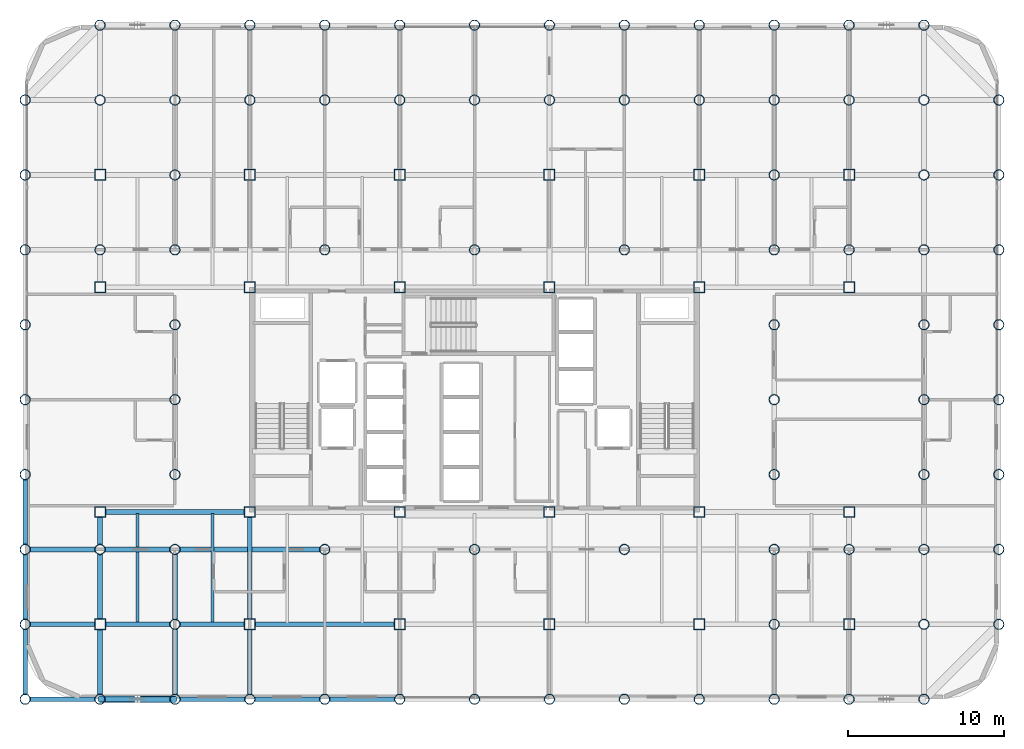
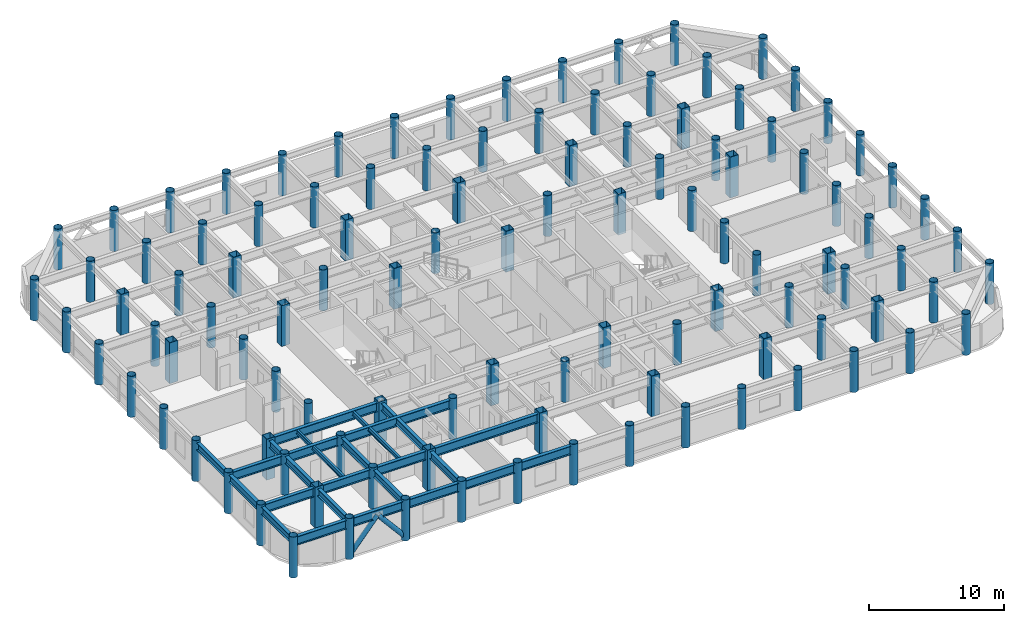
# One storey, part 1 of 22: 108 columns, 25 beams, 2 members.
"""IFC4 building model written with IfcOpenShell, lengths in metres."""

from ifc_helpers import new_model, si_unit, direction, frame, origin, origin_2d, place, context, subcontext, project, spatial, hollow_rectangle, hollow_circle, i_section, extrude, material, material_profile, profile_set, type_object, element, save


model = new_model("IFC4")

# Units and contexts
model_context = context("Model", 3, precision=1e-05, world=origin(), true_north=direction((0.0, 1.0)))
body_context = subcontext(model_context, "Body", "Model", "MODEL_VIEW")
ifc_project = project(units=[si_unit("LENGTHUNIT", "METRE"), si_unit("AREAUNIT", "SQUARE_METRE"), si_unit("VOLUMEUNIT", "CUBIC_METRE"), si_unit("PLANEANGLEUNIT", "RADIAN"), si_unit("MASSUNIT", "GRAM", prefix="KILO")], contexts=[model_context])

# Site, building, storey
site_placement = place(None, origin())
site = spatial("IfcSite", under=ifc_project, at=site_placement, CompositionType="ELEMENT")
building_placement = place(site_placement, origin())
building = spatial("IfcBuilding", under=site, at=building_placement, Name="Kallvorn Hotel Tower", CompositionType="ELEMENT")
storey_placement = place(building_placement, frame((0.0, 0.0, 110.0)))
storey = spatial("IfcBuildingStorey", under=building, at=storey_placement, Name="L26", CompositionType="ELEMENT", Elevation=110.0)

# Columns
ifc_material_1 = material(Name="Structural steel S355J2H", Category="steel")
ifc_material_profile_1 = material_profile(ifc_material_1, hollow_circle(Radius=0.330078125, WallThickness=0.028076171875, at=origin_2d()), Name="CHS 660x28")
ifc_profile_set_1 = profile_set([ifc_material_profile_1], Name="Structural steel S355J2H")
column_type_1 = type_object("IfcColumnType", Name="COL_CHS_660", PredefinedType="COLUMN", material=ifc_profile_set_1)
for number, where, z_axis, x_axis, name in (
    (1, (-28.800048828125, -19.199951171875, 0.0), (0.0, 0.0, 1.0), (1.0, 0.0, 0.0), "L26 Exoskeleton Column EC01"),
    (2, (-28.800048828125, -14.39990234375, 0.0), (0.0, 0.0, 1.0), (1.0, 0.0, 0.0), "L26 Exoskeleton Column EC02"),
    (3, (-28.800048828125, -9.60009765625, 0.0), (0.0, 0.0, 1.0), (1.0, 0.0, 0.0), "L26 Exoskeleton Column EC03"),
    (4, (-28.800048828125, -4.800048828125, 0.0), (0.0, 0.0, 1.0), (1.0, 0.0, 0.0), "L26 Exoskeleton Column EC04"),
    (5, (-28.800048828125, 0.0, 0.0), (0.0, 0.0, 1.0), (1.0, 0.0, 0.0), "L26 Exoskeleton Column EC05"),
    (6, (-28.800048828125, 4.800048828125, 0.0), (0.0, 0.0, 1.0), (1.0, 0.0, 0.0), "L26 Exoskeleton Column EC06"),
    (7, (-28.800048828125, 9.60009765625, 0.0), (0.0, 0.0, 1.0), (1.0, 0.0, 0.0), "L26 Exoskeleton Column EC07"),
    (8, (-28.800048828125, 14.39990234375, 0.0), (0.0, 0.0, 1.0), (1.0, 0.0, 0.0), "L26 Exoskeleton Column EC08"),
    (9, (-28.800048828125, 19.199951171875, 0.0), (0.0, 0.0, 1.0), (1.0, 0.0, 0.0), "L26 Exoskeleton Column EC09"),
    (10, (-24.0, -19.199951171875, 0.0), (0.0, 0.0, 1.0), (1.0, 0.0, 0.0), "L26 Exoskeleton Column EC10"),
    (11, (-24.0, -9.60009765625, 0.0), (0.0, 0.0, 1.0), (1.0, 0.0, 0.0), "L26 Exoskeleton Column EC11"),
    (12, (-24.0, 9.60009765625, 0.0), (0.0, 0.0, 1.0), (1.0, 0.0, 0.0), "L26 Exoskeleton Column EC12"),
    (13, (-24.0, 19.199951171875, 0.0), (0.0, 0.0, 1.0), (1.0, 0.0, 0.0), "L26 Exoskeleton Column EC13"),
    (14, (-24.0, 24.0, 0.0), (0.0, 0.0, 1.0), (1.0, 0.0, 0.0), "L26 Exoskeleton Column EC14"),
    (15, (-19.199951171875, -19.199951171875, 0.0), (0.0, 0.0, 1.0), (1.0, 0.0, 0.0), "L26 Exoskeleton Column EC15"),
    (16, (-19.199951171875, -14.39990234375, 0.0), (0.0, 0.0, 1.0), (1.0, 0.0, 0.0), "L26 Exoskeleton Column EC16"),
    (17, (-19.199951171875, -9.60009765625, 0.0), (0.0, 0.0, 1.0), (1.0, 0.0, 0.0), "L26 Exoskeleton Column EC17"),
    (18, (-19.199951171875, -4.800048828125, 0.0), (0.0, 0.0, 1.0), (1.0, 0.0, 0.0), "L26 Exoskeleton Column EC18"),
    (19, (-19.199951171875, 0.0, 0.0), (0.0, 0.0, 1.0), (1.0, 0.0, 0.0), "L26 Exoskeleton Column EC19"),
    (20, (-19.199951171875, 4.800048828125, 0.0), (0.0, 0.0, 1.0), (1.0, 0.0, 0.0), "L26 Exoskeleton Column EC20"),
    (21, (-19.199951171875, 9.60009765625, 0.0), (0.0, 0.0, 1.0), (1.0, 0.0, 0.0), "L26 Exoskeleton Column EC21"),
    (22, (-19.199951171875, 14.39990234375, 0.0), (0.0, 0.0, 1.0), (1.0, 0.0, 0.0), "L26 Exoskeleton Column EC22"),
    (23, (-19.199951171875, 19.199951171875, 0.0), (0.0, 0.0, 1.0), (1.0, 0.0, 0.0), "L26 Exoskeleton Column EC23"),
    (24, (-19.199951171875, 24.0, 0.0), (0.0, 0.0, 1.0), (1.0, 0.0, 0.0), "L26 Exoskeleton Column EC24"),
    (25, (-14.39990234375, -19.199951171875, 0.0), (0.0, 0.0, 1.0), (1.0, 0.0, 0.0), "L26 Exoskeleton Column EC25"),
    (26, (-14.39990234375, 19.199951171875, 0.0), (0.0, 0.0, 1.0), (1.0, 0.0, 0.0), "L26 Exoskeleton Column EC26"),
    (27, (-14.39990234375, 24.0, 0.0), (0.0, 0.0, 1.0), (1.0, 0.0, 0.0), "L26 Exoskeleton Column EC27"),
    (28, (-9.60009765625, -19.199951171875, 0.0), (0.0, 0.0, 1.0), (1.0, 0.0, 0.0), "L26 Exoskeleton Column EC28"),
    (29, (-9.60009765625, -9.60009765625, 0.0), (0.0, 0.0, 1.0), (1.0, 0.0, 0.0), "L26 Exoskeleton Column EC29"),
    (30, (-9.60009765625, 9.60009765625, 0.0), (0.0, 0.0, 1.0), (1.0, 0.0, 0.0), "L26 Exoskeleton Column EC30"),
    (31, (-9.60009765625, 19.199951171875, 0.0), (0.0, 0.0, 1.0), (1.0, 0.0, 0.0), "L26 Exoskeleton Column EC31"),
    (32, (-9.60009765625, 24.0, 0.0), (0.0, 0.0, 1.0), (1.0, 0.0, 0.0), "L26 Exoskeleton Column EC32"),
    (33, (-4.800048828125, -19.199951171875, 0.0), (0.0, 0.0, 1.0), (1.0, 0.0, 0.0), "L26 Exoskeleton Column EC33"),
    (34, (-4.800048828125, 19.199951171875, 0.0), (0.0, 0.0, 1.0), (1.0, 0.0, 0.0), "L26 Exoskeleton Column EC34"),
    (35, (-4.800048828125, 24.0, 0.0), (0.0, 0.0, 1.0), (1.0, 0.0, 0.0), "L26 Exoskeleton Column EC35"),
    (36, (0.0, -19.199951171875, 0.0), (0.0, 0.0, 1.0), (1.0, 0.0, 0.0), "L26 Exoskeleton Column EC36"),
    (37, (0.0, -9.60009765625, 0.0), (0.0, 0.0, 1.0), (1.0, 0.0, 0.0), "L26 Exoskeleton Column EC37"),
    (38, (0.0, 9.60009765625, 0.0), (0.0, 0.0, 1.0), (1.0, 0.0, 0.0), "L26 Exoskeleton Column EC38"),
    (39, (0.0, 19.199951171875, 0.0), (0.0, 0.0, 1.0), (1.0, 0.0, 0.0), "L26 Exoskeleton Column EC39"),
    (40, (0.0, 24.0, 0.0), (0.0, 0.0, 1.0), (1.0, 0.0, 0.0), "L26 Exoskeleton Column EC40"),
    (41, (4.800048828125, -19.199951171875, 0.0), (0.0, 0.0, 1.0), (1.0, 0.0, 0.0), "L26 Exoskeleton Column EC41"),
    (42, (4.800048828125, 19.199951171875, 0.0), (0.0, 0.0, 1.0), (1.0, 0.0, 0.0), "L26 Exoskeleton Column EC42"),
    (43, (4.800048828125, 24.0, 0.0), (0.0, 0.0, 1.0), (1.0, 0.0, 0.0), "L26 Exoskeleton Column EC43"),
    (44, (9.60009765625, -19.199951171875, 0.0), (0.0, 0.0, 1.0), (1.0, 0.0, 0.0), "L26 Exoskeleton Column EC44"),
    (45, (9.60009765625, -9.60009765625, 0.0), (0.0, 0.0, 1.0), (1.0, 0.0, 0.0), "L26 Exoskeleton Column EC45"),
    (46, (9.60009765625, 9.60009765625, 0.0), (0.0, 0.0, 1.0), (1.0, 0.0, 0.0), "L26 Exoskeleton Column EC46"),
    (47, (9.60009765625, 19.199951171875, 0.0), (0.0, 0.0, 1.0), (1.0, 0.0, 0.0), "L26 Exoskeleton Column EC47"),
    (48, (9.60009765625, 24.0, 0.0), (0.0, 0.0, 1.0), (1.0, 0.0, 0.0), "L26 Exoskeleton Column EC48"),
    (49, (14.39990234375, -19.199951171875, 0.0), (0.0, 0.0, 1.0), (1.0, 0.0, 0.0), "L26 Exoskeleton Column EC49"),
    (50, (14.39990234375, 19.199951171875, 0.0), (0.0, 0.0, 1.0), (1.0, 0.0, 0.0), "L26 Exoskeleton Column EC50"),
    (51, (14.39990234375, 24.0, 0.0), (0.0, 0.0, 1.0), (1.0, 0.0, 0.0), "L26 Exoskeleton Column EC51"),
    (52, (19.199951171875, -19.199951171875, 0.0), (0.0, 0.0, 1.0), (1.0, 0.0, 0.0), "L26 Exoskeleton Column EC52"),
    (53, (19.199951171875, -14.39990234375, 0.0), (0.0, 0.0, 1.0), (1.0, 0.0, 0.0), "L26 Exoskeleton Column EC53"),
    (54, (19.199951171875, -9.60009765625, 0.0), (0.0, 0.0, 1.0), (1.0, 0.0, 0.0), "L26 Exoskeleton Column EC54"),
    (55, (19.199951171875, -4.800048828125, 0.0), (0.0, 0.0, 1.0), (1.0, 0.0, 0.0), "L26 Exoskeleton Column EC55"),
    (56, (19.199951171875, 0.0, 0.0), (0.0, 0.0, 1.0), (1.0, 0.0, 0.0), "L26 Exoskeleton Column EC56"),
    (57, (19.199951171875, 4.800048828125, 0.0), (0.0, 0.0, 1.0), (1.0, 0.0, 0.0), "L26 Exoskeleton Column EC57"),
    (58, (19.199951171875, 9.60009765625, 0.0), (0.0, 0.0, 1.0), (1.0, 0.0, 0.0), "L26 Exoskeleton Column EC58"),
    (59, (19.199951171875, 14.39990234375, 0.0), (0.0, 0.0, 1.0), (1.0, 0.0, 0.0), "L26 Exoskeleton Column EC59"),
    (60, (19.199951171875, 19.199951171875, 0.0), (0.0, 0.0, 1.0), (1.0, 0.0, 0.0), "L26 Exoskeleton Column EC60"),
    (61, (19.199951171875, 24.0, 0.0), (0.0, 0.0, 1.0), (1.0, 0.0, 0.0), "L26 Exoskeleton Column EC61"),
    (62, (24.0, -19.199951171875, 0.0), (0.0, 0.0, 1.0), (1.0, 0.0, 0.0), "L26 Exoskeleton Column EC62"),
    (63, (24.0, -9.60009765625, 0.0), (0.0, 0.0, 1.0), (1.0, 0.0, 0.0), "L26 Exoskeleton Column EC63"),
    (64, (24.0, 9.60009765625, 0.0), (0.0, 0.0, 1.0), (1.0, 0.0, 0.0), "L26 Exoskeleton Column EC64"),
    (65, (24.0, 19.199951171875, 0.0), (0.0, 0.0, 1.0), (1.0, 0.0, 0.0), "L26 Exoskeleton Column EC65"),
    (66, (24.0, 24.0, 0.0), (0.0, 0.0, 1.0), (1.0, 0.0, 0.0), "L26 Exoskeleton Column EC66"),
    (67, (28.800048828125, -19.199951171875, 0.0), (0.0, 0.0, 1.0), (1.0, 0.0, 0.0), "L26 Exoskeleton Column EC67"),
    (68, (28.800048828125, -14.39990234375, 0.0), (0.0, 0.0, 1.0), (1.0, 0.0, 0.0), "L26 Exoskeleton Column EC68"),
    (69, (28.800048828125, -9.60009765625, 0.0), (0.0, 0.0, 1.0), (1.0, 0.0, 0.0), "L26 Exoskeleton Column EC69"),
    (70, (28.800048828125, -4.800048828125, 0.0), (0.0, 0.0, 1.0), (1.0, 0.0, 0.0), "L26 Exoskeleton Column EC70"),
    (71, (28.800048828125, 0.0, 0.0), (0.0, 0.0, 1.0), (1.0, 0.0, 0.0), "L26 Exoskeleton Column EC71"),
    (72, (28.800048828125, 4.800048828125, 0.0), (0.0, 0.0, 1.0), (1.0, 0.0, 0.0), "L26 Exoskeleton Column EC72"),
    (73, (28.800048828125, 9.60009765625, 0.0), (0.0, 0.0, 1.0), (1.0, 0.0, 0.0), "L26 Exoskeleton Column EC73"),
    (74, (28.800048828125, 14.39990234375, 0.0), (0.0, 0.0, 1.0), (1.0, 0.0, 0.0), "L26 Exoskeleton Column EC74"),
    (75, (28.800048828125, 19.199951171875, 0.0), (0.0, 0.0, 1.0), (1.0, 0.0, 0.0), "L26 Exoskeleton Column EC75"),
    (76, (28.800048828125, 24.0, 0.0), (0.0, 0.0, 1.0), (1.0, 0.0, 0.0), "L26 Exoskeleton Column EC76"),
    (77, (33.60009765625, -14.39990234375, 0.0), (0.0, 0.0, 1.0), (1.0, 0.0, 0.0), "L26 Exoskeleton Column EC77"),
    (78, (33.60009765625, -9.60009765625, 0.0), (0.0, 0.0, 1.0), (1.0, 0.0, 0.0), "L26 Exoskeleton Column EC78"),
    (79, (33.60009765625, -4.800048828125, 0.0), (0.0, 0.0, 1.0), (1.0, 0.0, 0.0), "L26 Exoskeleton Column EC79"),
    (80, (33.60009765625, 0.0, 0.0), (0.0, 0.0, 1.0), (1.0, 0.0, 0.0), "L26 Exoskeleton Column EC80"),
    (81, (33.60009765625, 4.800048828125, 0.0), (0.0, 0.0, 1.0), (1.0, 0.0, 0.0), "L26 Exoskeleton Column EC81"),
    (82, (33.60009765625, 9.60009765625, 0.0), (0.0, 0.0, 1.0), (1.0, 0.0, 0.0), "L26 Exoskeleton Column EC82"),
    (83, (33.60009765625, 14.39990234375, 0.0), (0.0, 0.0, 1.0), (1.0, 0.0, 0.0), "L26 Exoskeleton Column EC83"),
    (84, (33.60009765625, 19.199951171875, 0.0), (0.0, 0.0, 1.0), (1.0, 0.0, 0.0), "L26 Exoskeleton Column EC84"),
):
    element("IfcColumn", number, at=place(storey_placement, frame(where, z_axis=z_axis, x_axis=x_axis)), inside=storey, type_object=column_type_1, Name=name, PredefinedType="COLUMN", context=body_context, shape_type="SweptSolid", body=[
        extrude(hollow_circle(Radius=0.330078125, WallThickness=0.028076171875, at=origin_2d()), origin(), (0.0, 0.0, 1.0), 3.699951171875),
    ])
ifc_material_2 = material(Name="Structural steel S355J2H", Category="steel")
ifc_material_profile_2 = material_profile(ifc_material_2, hollow_rectangle(XDim=0.699951171875, YDim=0.699951171875, WallThickness=0.031982421875, at=origin_2d()), Name="RHS 700x700x32")
ifc_profile_set_2 = profile_set([ifc_material_profile_2], Name="Structural steel S355J2H")
column_type_2 = type_object("IfcColumnType", Name="COL_RHS_700", PredefinedType="COLUMN", material=ifc_profile_set_2)
for number, where, z_axis, x_axis, name in (
    (85, (-24.0, -14.39990234375, 0.0), (0.0, 0.0, 1.0), (1.0, 0.0, 0.0), "L26 Inner Column IC01"),
    (86, (-24.0, -7.199951171875, 0.0), (0.0, 0.0, 1.0), (1.0, 0.0, 0.0), "L26 Inner Column IC02"),
    (87, (-24.0, 7.199951171875, 0.0), (0.0, 0.0, 1.0), (1.0, 0.0, 0.0), "L26 Inner Column IC03"),
    (88, (-24.0, 14.39990234375, 0.0), (0.0, 0.0, 1.0), (1.0, 0.0, 0.0), "L26 Inner Column IC04"),
    (89, (-14.39990234375, -14.39990234375, 0.0), (0.0, 0.0, 1.0), (1.0, 0.0, 0.0), "L26 Inner Column IC05"),
    (90, (-14.39990234375, -7.199951171875, 0.0), (0.0, 0.0, 1.0), (1.0, 0.0, 0.0), "L26 Inner Column IC06"),
    (91, (-14.39990234375, 7.199951171875, 0.0), (0.0, 0.0, 1.0), (1.0, 0.0, 0.0), "L26 Inner Column IC07"),
    (92, (-14.39990234375, 14.39990234375, 0.0), (0.0, 0.0, 1.0), (1.0, 0.0, 0.0), "L26 Inner Column IC08"),
    (93, (-4.800048828125, -14.39990234375, 0.0), (0.0, 0.0, 1.0), (1.0, 0.0, 0.0), "L26 Inner Column IC09"),
    (94, (-4.800048828125, -7.199951171875, 0.0), (0.0, 0.0, 1.0), (1.0, 0.0, 0.0), "L26 Inner Column IC10"),
    (95, (-4.800048828125, 7.199951171875, 0.0), (0.0, 0.0, 1.0), (1.0, 0.0, 0.0), "L26 Inner Column IC11"),
    (96, (-4.800048828125, 14.39990234375, 0.0), (0.0, 0.0, 1.0), (1.0, 0.0, 0.0), "L26 Inner Column IC12"),
    (97, (4.800048828125, -14.39990234375, 0.0), (0.0, 0.0, 1.0), (1.0, 0.0, 0.0), "L26 Inner Column IC13"),
    (98, (4.800048828125, -7.199951171875, 0.0), (0.0, 0.0, 1.0), (1.0, 0.0, 0.0), "L26 Inner Column IC14"),
    (99, (4.800048828125, 7.199951171875, 0.0), (0.0, 0.0, 1.0), (1.0, 0.0, 0.0), "L26 Inner Column IC15"),
    (100, (4.800048828125, 14.39990234375, 0.0), (0.0, 0.0, 1.0), (1.0, 0.0, 0.0), "L26 Inner Column IC16"),
    (101, (14.39990234375, -14.39990234375, 0.0), (0.0, 0.0, 1.0), (1.0, 0.0, 0.0), "L26 Inner Column IC17"),
    (102, (14.39990234375, -7.199951171875, 0.0), (0.0, 0.0, 1.0), (1.0, 0.0, 0.0), "L26 Inner Column IC18"),
    (103, (14.39990234375, 7.199951171875, 0.0), (0.0, 0.0, 1.0), (1.0, 0.0, 0.0), "L26 Inner Column IC19"),
    (104, (14.39990234375, 14.39990234375, 0.0), (0.0, 0.0, 1.0), (1.0, 0.0, 0.0), "L26 Inner Column IC20"),
    (105, (24.0, -14.39990234375, 0.0), (0.0, 0.0, 1.0), (1.0, 0.0, 0.0), "L26 Inner Column IC21"),
    (106, (24.0, -7.199951171875, 0.0), (0.0, 0.0, 1.0), (1.0, 0.0, 0.0), "L26 Inner Column IC22"),
    (107, (24.0, 7.199951171875, 0.0), (0.0, 0.0, 1.0), (1.0, 0.0, 0.0), "L26 Inner Column IC23"),
    (108, (24.0, 14.39990234375, 0.0), (0.0, 0.0, 1.0), (1.0, 0.0, 0.0), "L26 Inner Column IC24"),
):
    element("IfcColumn", number, at=place(storey_placement, frame(where, z_axis=z_axis, x_axis=x_axis)), inside=storey, type_object=column_type_2, Name=name, PredefinedType="COLUMN", context=body_context, shape_type="SweptSolid", body=[
        extrude(hollow_rectangle(XDim=0.699951171875, YDim=0.699951171875, WallThickness=0.031982421875, at=origin_2d()), origin(), (0.0, 0.0, 1.0), 3.699951171875),
    ])

# Beams
ifc_material_3 = material(Name="Structural steel S355JR", Category="steel")
ifc_material_profile_3 = material_profile(ifc_material_3, i_section(OverallWidth=0.300048828125, OverallDepth=0.64990234375, WebThickness=0.01611328125, FlangeThickness=0.031005859375, at=origin_2d()), Name="HE 650 B")
ifc_profile_set_3 = profile_set([ifc_material_profile_3], Name="Structural steel S355JR")
beam_type_1 = type_object("IfcBeamType", Name="BM_HE650B", PredefinedType="BEAM", material=ifc_profile_set_3)
for number, where, z_axis, x_axis, name in (
    (109, (-28.800048828125, -18.89501953125, 3.195068359375), (0.0, 1.0, 0.0), (-1.0, 0.0, 0.0), "L27 Primary Y-Girder 73"),
    (110, (-28.800048828125, -14.094970703125, 3.195068359375), (0.0, 1.0, 0.0), (-1.0, 0.0, 0.0), "L27 Primary Y-Girder 74"),
    (111, (-28.800048828125, -9.294921875, 3.195068359375), (0.0, 1.0, 0.0), (-1.0, 0.0, 0.0), "L27 Primary Y-Girder 75"),
):
    element("IfcBeam", number, at=place(storey_placement, frame(where, z_axis=z_axis, x_axis=x_axis)), inside=storey, type_object=beam_type_1, Name=name, PredefinedType="BEAM", context=body_context, shape_type="SweptSolid", body=[
        extrude(i_section(OverallWidth=0.300048828125, OverallDepth=0.64990234375, WebThickness=0.01611328125, FlangeThickness=0.031005859375, at=origin_2d()), origin(), (0.0, 0.0, 1.0), 4.18994140625),
    ])
for number, where, z_axis, x_axis, name in (
    (112, (-24.0, -18.89501953125, 3.195068359375), (0.0, 1.0, 0.0), (-1.0, 0.0, 0.0), "L27 Primary Y-Girder 81"),
    (113, (-24.0, -14.074951171875, 3.195068359375), (0.0, 1.0, 0.0), (-1.0, 0.0, 0.0), "L27 Primary Y-Girder 82"),
):
    element("IfcBeam", number, at=place(storey_placement, frame(where, z_axis=z_axis, x_axis=x_axis)), inside=storey, type_object=beam_type_1, Name=name, PredefinedType="BEAM", context=body_context, shape_type="SweptSolid", body=[
        extrude(i_section(OverallWidth=0.300048828125, OverallDepth=0.64990234375, WebThickness=0.01611328125, FlangeThickness=0.031005859375, at=origin_2d()), origin(), (0.0, 0.0, 1.0), 4.169921875),
    ])
beam_1_placement = place(storey_placement, frame((-24.0, -9.294921875, 3.195068359375), z_axis=(0.0, 1.0, 0.0), x_axis=(-1.0, 0.0, 0.0)))
element("IfcBeam", 114, at=beam_1_placement, inside=storey, type_object=beam_type_1, Name="L27 Primary Y-Girder 83", PredefinedType="BEAM", context=body_context, shape_type="SweptSolid", body=[
    extrude(i_section(OverallWidth=0.300048828125, OverallDepth=0.64990234375, WebThickness=0.01611328125, FlangeThickness=0.031005859375, at=origin_2d()), origin(), (0.0, 0.0, 1.0), 1.77001953125),
])
for number, where, z_axis, x_axis, name in (
    (115, (-19.199951171875, -18.89501953125, 3.195068359375), (0.0, 1.0, 0.0), (-1.0, 0.0, 0.0), "L27 Primary Y-Girder 88"),
    (116, (-19.199951171875, -14.094970703125, 3.195068359375), (0.0, 1.0, 0.0), (-1.0, 0.0, 0.0), "L27 Primary Y-Girder 89"),
):
    element("IfcBeam", number, at=place(storey_placement, frame(where, z_axis=z_axis, x_axis=x_axis)), inside=storey, type_object=beam_type_1, Name=name, PredefinedType="BEAM", context=body_context, shape_type="SweptSolid", body=[
        extrude(i_section(OverallWidth=0.300048828125, OverallDepth=0.64990234375, WebThickness=0.01611328125, FlangeThickness=0.031005859375, at=origin_2d()), origin(), (0.0, 0.0, 1.0), 4.18994140625),
    ])
beam_2_placement = place(storey_placement, frame((-14.39990234375, -18.89501953125, 3.195068359375), z_axis=(0.0, 1.0, 0.0), x_axis=(-1.0, 0.0, 0.0)))
element("IfcBeam", 117, at=beam_2_placement, inside=storey, type_object=beam_type_1, Name="L27 Primary Y-Girder 97", PredefinedType="BEAM", context=body_context, shape_type="SweptSolid", body=[
    extrude(i_section(OverallWidth=0.300048828125, OverallDepth=0.64990234375, WebThickness=0.01611328125, FlangeThickness=0.031005859375, at=origin_2d()), origin(), (0.0, 0.0, 1.0), 4.169921875),
])
beam_3_placement = place(storey_placement, frame((-14.39990234375, -14.074951171875, 3.195068359375), z_axis=(0.0, 1.0, 0.0), x_axis=(-1.0, 0.0, 0.0)))
element("IfcBeam", 118, at=beam_3_placement, inside=storey, type_object=beam_type_1, Name="L27 Primary Y-Girder 98", PredefinedType="BEAM", context=body_context, shape_type="SweptSolid", body=[
    extrude(i_section(OverallWidth=0.300048828125, OverallDepth=0.64990234375, WebThickness=0.01611328125, FlangeThickness=0.031005859375, at=origin_2d()), origin(), (0.0, 0.0, 1.0), 6.550048828125),
])
ifc_material_4 = material(Name="Structural steel S355JR", Category="steel")
ifc_material_profile_4 = material_profile(ifc_material_4, i_section(OverallWidth=0.300048828125, OverallDepth=0.800048828125, WebThickness=0.017578125, FlangeThickness=0.032958984375, at=origin_2d()), Name="HE 800 B")
ifc_profile_set_4 = profile_set([ifc_material_profile_4], Name="Structural steel S355JR")
beam_type_2 = type_object("IfcBeamType", Name="BM_HE800B", PredefinedType="BEAM", material=ifc_profile_set_4)
for number, where, z_axis, x_axis, name in (
    (119, (-28.4951171875, -19.199951171875, 3.1201171875), (1.0, 0.0, 0.0), (0.0, 1.0, 0.0), "L27 Primary X-Girder 01"),
    (120, (-23.695068359375, -19.199951171875, 3.1201171875), (1.0, 0.0, 0.0), (0.0, 1.0, 0.0), "L27 Primary X-Girder 02"),
):
    element("IfcBeam", number, at=place(storey_placement, frame(where, z_axis=z_axis, x_axis=x_axis)), inside=storey, type_object=beam_type_2, Name=name, PredefinedType="BEAM", context=body_context, shape_type="SweptSolid", body=[
        extrude(i_section(OverallWidth=0.300048828125, OverallDepth=0.800048828125, WebThickness=0.017578125, FlangeThickness=0.032958984375, at=origin_2d()), origin(), (0.0, 0.0, 1.0), 4.190185546875),
    ])
for number, where, z_axis, x_axis, name in (
    (121, (-18.89501953125, -19.199951171875, 3.1201171875), (1.0, 0.0, 0.0), (0.0, 1.0, 0.0), "L27 Primary X-Girder 03"),
    (122, (-14.094970703125, -19.199951171875, 3.1201171875), (1.0, 0.0, 0.0), (0.0, 1.0, 0.0), "L27 Primary X-Girder 04"),
    (123, (-9.294921875, -19.199951171875, 3.1201171875), (1.0, 0.0, 0.0), (0.0, 1.0, 0.0), "L27 Primary X-Girder 05"),
):
    element("IfcBeam", number, at=place(storey_placement, frame(where, z_axis=z_axis, x_axis=x_axis)), inside=storey, type_object=beam_type_2, Name=name, PredefinedType="BEAM", context=body_context, shape_type="SweptSolid", body=[
        extrude(i_section(OverallWidth=0.300048828125, OverallDepth=0.800048828125, WebThickness=0.017578125, FlangeThickness=0.032958984375, at=origin_2d()), origin(), (0.0, 0.0, 1.0), 4.18994140625),
    ])
for number, where, z_axis, x_axis, name in (
    (124, (-28.4951171875, -14.39990234375, 3.1201171875), (1.0, 0.0, 0.0), (0.0, 1.0, 0.0), "L27 Primary X-Girder 13"),
    (125, (-23.675048828125, -14.39990234375, 3.1201171875), (1.0, 0.0, 0.0), (0.0, 1.0, 0.0), "L27 Primary X-Girder 14"),
):
    element("IfcBeam", number, at=place(storey_placement, frame(where, z_axis=z_axis, x_axis=x_axis)), inside=storey, type_object=beam_type_2, Name=name, PredefinedType="BEAM", context=body_context, shape_type="SweptSolid", body=[
        extrude(i_section(OverallWidth=0.300048828125, OverallDepth=0.800048828125, WebThickness=0.017578125, FlangeThickness=0.032958984375, at=origin_2d()), origin(), (0.0, 0.0, 1.0), 4.170166015625),
    ])
beam_4_placement = place(storey_placement, frame((-18.89501953125, -14.39990234375, 3.1201171875), z_axis=(1.0, 0.0, 0.0), x_axis=(0.0, 1.0, 0.0)))
element("IfcBeam", 126, at=beam_4_placement, inside=storey, type_object=beam_type_2, Name="L27 Primary X-Girder 15", PredefinedType="BEAM", context=body_context, shape_type="SweptSolid", body=[
    extrude(i_section(OverallWidth=0.300048828125, OverallDepth=0.800048828125, WebThickness=0.017578125, FlangeThickness=0.032958984375, at=origin_2d()), origin(), (0.0, 0.0, 1.0), 4.169921875),
])
beam_5_placement = place(storey_placement, frame((-14.074951171875, -14.39990234375, 3.1201171875), z_axis=(1.0, 0.0, 0.0), x_axis=(0.0, 1.0, 0.0)))
element("IfcBeam", 127, at=beam_5_placement, inside=storey, type_object=beam_type_2, Name="L27 Primary X-Girder 16", PredefinedType="BEAM", context=body_context, shape_type="SweptSolid", body=[
    extrude(i_section(OverallWidth=0.300048828125, OverallDepth=0.800048828125, WebThickness=0.017578125, FlangeThickness=0.032958984375, at=origin_2d()), origin(), (0.0, 0.0, 1.0), 8.949951171875),
])
for number, where, z_axis, x_axis, name in (
    (128, (-28.4951171875, -9.60009765625, 3.1201171875), (1.0, 0.0, 0.0), (0.0, 1.0, 0.0), "L27 Primary X-Girder 23"),
    (129, (-23.695068359375, -9.60009765625, 3.1201171875), (1.0, 0.0, 0.0), (0.0, 1.0, 0.0), "L27 Primary X-Girder 24"),
):
    element("IfcBeam", number, at=place(storey_placement, frame(where, z_axis=z_axis, x_axis=x_axis)), inside=storey, type_object=beam_type_2, Name=name, PredefinedType="BEAM", context=body_context, shape_type="SweptSolid", body=[
        extrude(i_section(OverallWidth=0.300048828125, OverallDepth=0.800048828125, WebThickness=0.017578125, FlangeThickness=0.032958984375, at=origin_2d()), origin(), (0.0, 0.0, 1.0), 4.190185546875),
    ])
beam_6_placement = place(storey_placement, frame((-18.89501953125, -9.60009765625, 3.1201171875), z_axis=(1.0, 0.0, 0.0), x_axis=(0.0, 1.0, 0.0)))
element("IfcBeam", 130, at=beam_6_placement, inside=storey, type_object=beam_type_2, Name="L27 Primary X-Girder 25", PredefinedType="BEAM", context=body_context, shape_type="SweptSolid", body=[
    extrude(i_section(OverallWidth=0.300048828125, OverallDepth=0.800048828125, WebThickness=0.017578125, FlangeThickness=0.032958984375, at=origin_2d()), origin(), (0.0, 0.0, 1.0), 8.989990234375),
])
beam_7_placement = place(storey_placement, frame((-23.675048828125, -7.199951171875, 3.1201171875), z_axis=(1.0, 0.0, 0.0), x_axis=(0.0, 1.0, 0.0)))
element("IfcBeam", 131, at=beam_7_placement, inside=storey, type_object=beam_type_2, Name="L27 Primary X-Girder 32", PredefinedType="BEAM", context=body_context, shape_type="SweptSolid", body=[
    extrude(i_section(OverallWidth=0.300048828125, OverallDepth=0.800048828125, WebThickness=0.017578125, FlangeThickness=0.032958984375, at=origin_2d()), origin(), (0.0, 0.0, 1.0), 8.949951171875),
])
ifc_material_5 = material(Name="Structural steel S355JR", Category="steel")
ifc_material_profile_5 = material_profile(ifc_material_5, i_section(OverallWidth=0.179931640625, OverallDepth=0.39990234375, WebThickness=0.008544921875, FlangeThickness=0.013427734375, at=origin_2d()), Name="IPE 400")
ifc_profile_set_5 = profile_set([ifc_material_profile_5], Name="Structural steel S355JR")
beam_type_3 = type_object("IfcBeamType", Name="BM_IPE400", PredefinedType="JOIST", material=ifc_profile_set_5)
for number, where, z_axis, x_axis, name in (
    (132, (-21.60009765625, -14.300048828125, 3.320068359375), (0.0, 1.0, 0.0), (-1.0, 0.0, 0.0), "L27 Secondary Composite Joist 192"),
    (133, (-16.800048828125, -14.300048828125, 3.320068359375), (0.0, 1.0, 0.0), (-1.0, 0.0, 0.0), "L27 Secondary Composite Joist 194"),
):
    element("IfcBeam", number, at=place(storey_placement, frame(where, z_axis=z_axis, x_axis=x_axis)), inside=storey, type_object=beam_type_3, Name=name, PredefinedType="JOIST", context=body_context, shape_type="SweptSolid", body=[
        extrude(i_section(OverallWidth=0.179931640625, OverallDepth=0.39990234375, WebThickness=0.008544921875, FlangeThickness=0.013427734375, at=origin_2d()), origin(), (0.0, 0.0, 1.0), 7.0),
    ])

# Members
ifc_material_6 = material(Name="Structural steel S355J2H", Category="steel")
ifc_material_profile_6 = material_profile(ifc_material_6, hollow_circle(Radius=0.203125, WallThickness=0.01611328125, at=origin_2d()), Name="CHS 406.4x16")
ifc_profile_set_6 = profile_set([ifc_material_profile_6], Name="Structural steel S355J2H")
member_type = type_object("IfcMemberType", Name="MBR_EXO_CHS406", PredefinedType="BRACE", material=ifc_profile_set_6)
for number, where, z_axis, x_axis, name in (
    (134, (-23.987060546875, -19.199951171875, 0.1953125), (0.646833296797, 0.0, 0.762631422218), (0.0, 1.0, 0.0), "L26 Exoskeleton K-Brace S1A"),
    (135, (-19.212890625, -19.199951171875, 0.1953125), (-0.646833296797, 0.0, 0.762631422218), (0.0, -1.0, 0.0), "L26 Exoskeleton K-Brace S1B"),
):
    element("IfcMember", number, at=place(storey_placement, frame(where, z_axis=z_axis, x_axis=x_axis)), inside=storey, type_object=member_type, Name=name, PredefinedType="BRACE", context=body_context, shape_type="SweptSolid", body=[
        extrude(hollow_circle(Radius=0.203125, WallThickness=0.01611328125, at=origin_2d()), origin(), (0.0, 0.0, 1.0), 3.670654296875),
    ])

save(model, "model.ifc")
